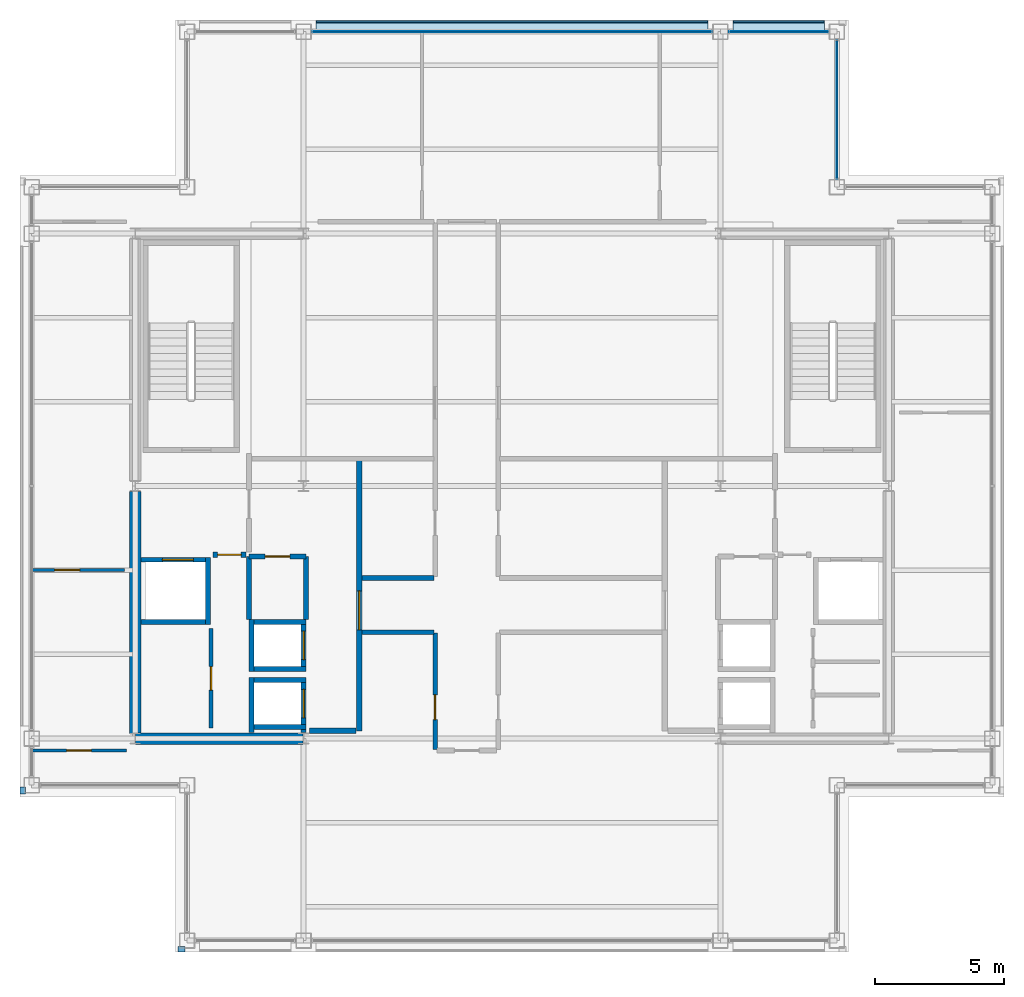
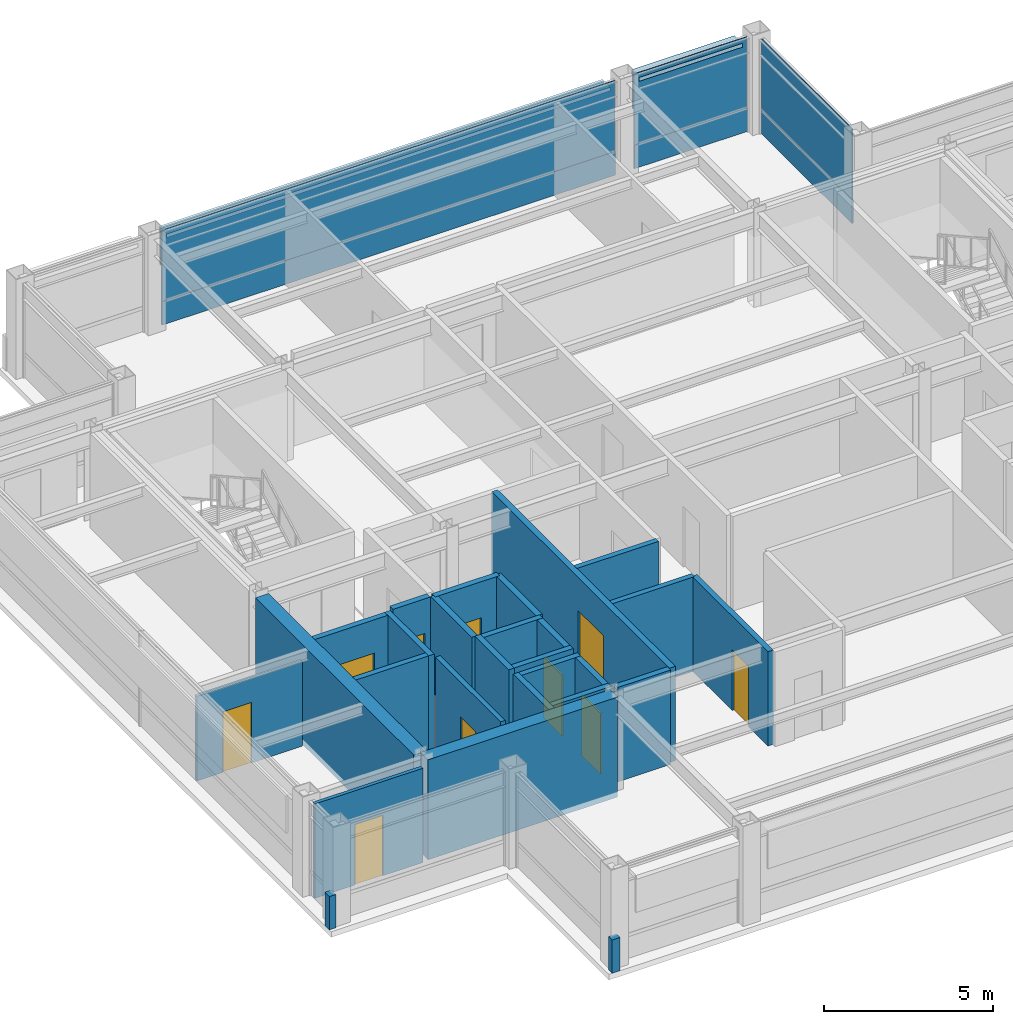
# One storey, part 18 of 22: 27 walls, 10 doors, 10 plates, 10 openings, 3 elements without a shape of their own.
"""IFC4 building model written with IfcOpenShell, lengths in metres."""

from ifc_helpers import new_model, si_unit, direction, frame, frame_2d, origin, origin_2d, place, context, subcontext, project, spatial, rectangle, extrude, material, layer, layer_set, type_object, element, fill, aggregate, save


model = new_model("IFC4")

# Units and contexts
model_context = context("Model", 3, precision=1e-05, world=origin(), true_north=direction((0.0, 1.0)))
body_context = subcontext(model_context, "Body", "Model", "MODEL_VIEW")
ifc_project = project(units=[si_unit("LENGTHUNIT", "METRE"), si_unit("AREAUNIT", "SQUARE_METRE"), si_unit("VOLUMEUNIT", "CUBIC_METRE"), si_unit("PLANEANGLEUNIT", "RADIAN"), si_unit("MASSUNIT", "GRAM", prefix="KILO")], contexts=[model_context])

# Site, building, storey
site_placement = place(None, origin())
site = spatial("IfcSite", under=ifc_project, at=site_placement, CompositionType="ELEMENT")
building_placement = place(site_placement, origin())
building = spatial("IfcBuilding", under=site, at=building_placement, Name="Brelmoor Portico Tower", CompositionType="ELEMENT")
storey_placement = place(building_placement, frame((0.0, 0.0, 280.800048828125)))
storey = spatial("IfcBuildingStorey", under=building, at=storey_placement, Name="L74", CompositionType="ELEMENT", Elevation=280.800048828125)

# Curtain wall, plate
ifc_material_1 = material(Name="Anodised Aluminium Alloy 6063-T6", Category="aluminium")
ifc_layer_1 = layer(ifc_material_1, 0.179931640625)
ifc_layer_set_1 = layer_set([ifc_layer_1], Name="Anodised Aluminium Alloy 6063-T6")
curtain_wall_type_1 = type_object("IfcCurtainWallType", Name="CW-TOWER-Z4", PredefinedType="NOTDEFINED", material=ifc_layer_set_1)
curtain_wall_1_placement = place(storey_placement, origin())
curtain_wall_1 = element("IfcCurtainWall", 1, at=curtain_wall_1_placement, inside=storey, type_object=curtain_wall_type_1, Name="L74 Curtain Wall CW-L74-02-2", PredefinedType="NOTDEFINED")
ifc_material_2 = material(Name="Double-Silver Low-E Insulated Glazing", Category="glass")
ifc_layer_2 = layer(ifc_material_2, 0.035888671875)
ifc_layer_set_2 = layer_set([ifc_layer_2], Name="Double-Silver Low-E Insulated Glazing")
plate_type_1 = type_object("IfcPlateType", Name="PT-CW-GLASS", PredefinedType="CURTAIN_PANEL", material=ifc_layer_set_2)
plate_1_placement = place(storey_placement, frame((0.0, 17.550048828125, 0.85009765625), z_axis=(0.0, 0.0, 1.0), x_axis=(1.0, 0.0, 0.0)))
plate_1 = element("IfcPlate", 2, at=plate_1_placement, type_object=plate_type_1, Name="CW-L74-02-2 Vision Glass Panel 00", PredefinedType="CURTAIN_PANEL", context=body_context, shape_type="SweptSolid", body=[
    extrude(rectangle(XDim=15.449951171875, YDim=0.035888671875, at=origin_2d()), origin(), (0.0, 0.0, 1.0), 2.550048828125),
])

curtain_wall_2_placement = place(storey_placement, origin())
curtain_wall_2 = element("IfcCurtainWall", 3, at=curtain_wall_2_placement, inside=storey, type_object=curtain_wall_type_1, Name="L74 Curtain Wall CW-L74-02-3", PredefinedType="NOTDEFINED")
plate_2_placement = place(storey_placement, frame((10.300048828125, 17.550048828125, 0.85009765625), z_axis=(0.0, 0.0, 1.0), x_axis=(1.0, 0.0, 0.0)))
plate_2 = element("IfcPlate", 4, at=plate_2_placement, type_object=plate_type_1, Name="CW-L74-02-3 Vision Glass Panel 00", PredefinedType="CURTAIN_PANEL", context=body_context, shape_type="SweptSolid", body=[
    extrude(rectangle(XDim=3.85009765625, YDim=0.035888671875, at=origin_2d()), origin(), (0.0, 0.0, 1.0), 2.550048828125),
])

ifc_layer_3 = layer(ifc_material_1, 0.179931640625)
ifc_layer_set_3 = layer_set([ifc_layer_3], Name="Anodised Aluminium Alloy 6063-T6")
curtain_wall_type_2 = type_object("IfcCurtainWallType", Name="CW-NOTCH-CHAMFER", PredefinedType="NOTDEFINED", material=ifc_layer_set_3)
curtain_wall_3_placement = place(storey_placement, origin())
curtain_wall_3 = element("IfcCurtainWall", 5, at=curtain_wall_3_placement, inside=storey, type_object=curtain_wall_type_2, Name="L74 Curtain Wall CWN-L74-NEV", PredefinedType="NOTDEFINED")
plate_3_placement = place(storey_placement, frame((12.550048828125, 14.550048828125, 0.85009765625), z_axis=(0.0, 0.0, 1.0), x_axis=(0.0, 1.0, 0.0)))
plate_3 = element("IfcPlate", 6, at=plate_3_placement, type_object=plate_type_1, Name="CWN-L74-NEV Vision Glass Panel 00", PredefinedType="CURTAIN_PANEL", context=body_context, shape_type="SweptSolid", body=[
    extrude(rectangle(XDim=5.35009765625, YDim=0.035888671875, at=origin_2d()), origin(), (0.0, 0.0, 1.0), 2.550048828125),
])

# Plate
ifc_material_3 = material(Name="Pale Champagne Anodised Aluminium Panel", Category="aluminium")
ifc_layer_4 = layer(ifc_material_3, 0.050048828125)
ifc_layer_set_4 = layer_set([ifc_layer_4], Name="Pale Champagne Anodised Aluminium Panel")
plate_type_2 = type_object("IfcPlateType", Name="PT-CW-SPANDREL", PredefinedType="SHEET", material=ifc_layer_set_4)
plate_4_placement = place(storey_placement, frame((0.0, 17.550048828125, 0.0), z_axis=(0.0, 0.0, 1.0), x_axis=(1.0, 0.0, 0.0)))
plate_4 = element("IfcPlate", 7, at=plate_4_placement, type_object=plate_type_2, Name="CW-L74-02-2 Spandrel Panel 00", PredefinedType="SHEET", context=body_context, shape_type="SweptSolid", body=[
    extrude(rectangle(XDim=15.449951171875, YDim=0.050048828125, at=origin_2d()), origin(), (0.0, 0.0, 1.0), 0.85009765625),
])

aggregate(curtain_wall_1, [plate_4, plate_1])

plate_5_placement = place(storey_placement, frame((10.300048828125, 17.550048828125, 0.0), z_axis=(0.0, 0.0, 1.0), x_axis=(1.0, 0.0, 0.0)))
plate_5 = element("IfcPlate", 8, at=plate_5_placement, type_object=plate_type_2, Name="CW-L74-02-3 Spandrel Panel 00", PredefinedType="SHEET", context=body_context, shape_type="SweptSolid", body=[
    extrude(rectangle(XDim=3.85009765625, YDim=0.050048828125, at=origin_2d()), origin(), (0.0, 0.0, 1.0), 0.85009765625),
])

aggregate(curtain_wall_2, [plate_5, plate_2])

plate_6_placement = place(storey_placement, frame((12.550048828125, 14.550048828125, 0.0), z_axis=(0.0, 0.0, 1.0), x_axis=(0.0, 1.0, 0.0)))
plate_6 = element("IfcPlate", 9, at=plate_6_placement, type_object=plate_type_2, Name="CWN-L74-NEV Spandrel Panel 00", PredefinedType="SHEET", context=body_context, shape_type="SweptSolid", body=[
    extrude(rectangle(XDim=5.35009765625, YDim=0.050048828125, at=origin_2d()), origin(), (0.0, 0.0, 1.0), 0.85009765625),
])

aggregate(curtain_wall_3, [plate_6, plate_3])

# Plates
ifc_material_4 = material(Name="Powder-Coated Aluminium Shuttered Jalousie Louvre", Category="aluminium")
ifc_layer_5 = layer(ifc_material_4, 0.06005859375)
ifc_layer_set_5 = layer_set([ifc_layer_5], Name="Powder-Coated Aluminium Shuttered Jalousie Louvre")
plate_type_3 = type_object("IfcPlateType", Name="PT-JALOUSIE-SHUTTER", PredefinedType="SHEET", material=ifc_layer_set_5)
plate_7_placement = place(storey_placement, frame((0.0, 17.929931640625, 1.8740234375), z_axis=(0.0, 0.0, 1.0), x_axis=(1.0, 0.0, 0.0)))
element("IfcPlate", 10, at=plate_7_placement, inside=storey, type_object=plate_type_3, Name="CW-L74-02-2 Perforated Jalousie Solar Screen", PredefinedType="SHEET", context=body_context, shape_type="SweptSolid", body=[
    extrude(rectangle(XDim=15.1201171875, YDim=0.06494140625, at=origin_2d()), origin(), (0.0, 0.0, 1.0), 1.325927734375),
])
plate_8_placement = place(storey_placement, frame((10.300048828125, 17.929931640625, 1.8740234375), z_axis=(0.0, 0.0, 1.0), x_axis=(1.0, 0.0, 0.0)))
element("IfcPlate", 11, at=plate_8_placement, inside=storey, type_object=plate_type_3, Name="CW-L74-02-3 Perforated Jalousie Solar Screen", PredefinedType="SHEET", context=body_context, shape_type="SweptSolid", body=[
    extrude(rectangle(XDim=3.52001953125, YDim=0.06494140625, at=origin_2d()), origin(), (0.0, 0.0, 1.0), 1.325927734375),
])
ifc_material_5 = material(Name="Pale Champagne Perforated Aluminium Solar Screen", Category="aluminium")
ifc_layer_6 = layer(ifc_material_5, 0.054931640625)
ifc_layer_set_6 = layer_set([ifc_layer_6], Name="Pale Champagne Perforated Aluminium Solar Screen")
plate_type_4 = type_object("IfcPlateType", Name="PT-SOLAR-LOUVRE", PredefinedType="SHEET", material=ifc_layer_set_6)
plate_9_placement = place(storey_placement, frame((0.0, 17.760009765625, 3.08984375), z_axis=(0.0, 0.0, 1.0), x_axis=(1.0, 0.0, 0.0)))
element("IfcPlate", 12, at=plate_9_placement, inside=storey, type_object=plate_type_4, Name="CW-L74-02-2 Caribbean Brise-Soleil Solar Screen", PredefinedType="SHEET", context=body_context, shape_type="SweptSolid", body=[
    extrude(rectangle(XDim=15.1201171875, YDim=0.4599609375, at=origin_2d()), origin(), (0.0, 0.0, 1.0), 0.139892578125),
])
plate_10_placement = place(storey_placement, frame((10.300048828125, 17.760009765625, 3.08984375), z_axis=(0.0, 0.0, 1.0), x_axis=(1.0, 0.0, 0.0)))
element("IfcPlate", 13, at=plate_10_placement, inside=storey, type_object=plate_type_4, Name="CW-L74-02-3 Caribbean Brise-Soleil Solar Screen", PredefinedType="SHEET", context=body_context, shape_type="SweptSolid", body=[
    extrude(rectangle(XDim=3.52001953125, YDim=0.4599609375, at=origin_2d()), origin(), (0.0, 0.0, 1.0), 0.139892578125),
])

# Walls
ifc_material_6 = material(Name="Concrete C50", Category="concrete")
ifc_layer_7 = layer(ifc_material_6, 0.449951171875)
ifc_layer_set_7 = layer_set([ifc_layer_7], Name="Concrete C50")
wall_type_1 = type_object("IfcWallType", Name="WL-CORE-450", PredefinedType="SHEAR", material=ifc_layer_set_7)
wall_1_placement = place(storey_placement, frame((-14.530029296875, -9.75, -0.199951171875), z_axis=(0.0, 0.0, 1.0), x_axis=(1.0, 0.0, 0.0)))
element("IfcWall", 14, at=wall_1_placement, inside=storey, type_object=wall_type_1, Name="L74 WC South Shear Wall", PredefinedType="SHEAR", context=body_context, shape_type="SweptSolid", body=[
    extrude(rectangle(XDim=6.4599609375, YDim=0.449951171875, at=frame_2d((3.22998046875, 0.0))), origin(), (0.0, 0.0, 1.0), 3.599853515625),
])
wall_2_placement = place(storey_placement, frame((-14.550048828125, -9.550048828125, -0.199951171875), z_axis=(0.0, 0.0, 1.0), x_axis=(0.0, 1.0, 0.0)))
element("IfcWall", 15, at=wall_2_placement, inside=storey, type_object=wall_type_1, Name="L74 WC Outer South Shear Wall", PredefinedType="SHEAR", context=body_context, shape_type="SweptSolid", body=[
    extrude(rectangle(XDim=9.35009765625, YDim=0.449951171875, at=frame_2d((4.675048828125, 0.0))), origin(), (0.0, 0.0, 1.0), 3.599853515625),
])
ifc_material_7 = material(Name="Concrete C40 Parapet Upstand", Category="concrete")
ifc_layer_8 = layer(ifc_material_7, 0.219970703125)
ifc_layer_set_8 = layer_set([ifc_layer_8], Name="Concrete C40 Parapet Upstand")
wall_type_2 = type_object("IfcWallType", Name="WL-PARAPET-220", PredefinedType="PARAPET", material=ifc_layer_set_8)
for number, where, z_axis, x_axis, name in (
    (16, (-12.889892578125, -17.889892578125, 0.0), (0.0, 0.0, 1.0), (1.0, 0.0, 0.0), "L74 Chamfer Vertex Parapet Pier SW1"),
    (17, (-18.889892578125, -11.889892578125, 0.0), (0.0, 0.0, 1.0), (0.0, 1.0, 0.0), "L74 Chamfer Vertex Parapet Pier SW2"),
):
    element("IfcWall", number, at=place(storey_placement, frame(where, z_axis=z_axis, x_axis=x_axis)), inside=storey, type_object=wall_type_2, Name=name, PredefinedType="PARAPET", context=body_context, shape_type="SweptSolid", body=[
        extrude(rectangle(XDim=0.269775390625, YDim=0.219970703125, at=frame_2d((0.134765625, 0.0))), origin(), (0.0, 0.0, 1.0), 1.199951171875),
    ])

# Wall, opening, door
ifc_material_8 = material(Name="Lightweight Gypsum Office Partition", Category="gypsum")
ifc_layer_9 = layer(ifc_material_8, 0.1201171875)
ifc_layer_set_9 = layer_set([ifc_layer_9], Name="Lightweight Gypsum Office Partition")
wall_type_3 = type_object("IfcWallType", Name="WL-PART-120", PredefinedType="PARTITIONING", material=ifc_layer_set_9)
wall_3_placement = place(storey_placement, frame((-18.56005859375, -10.2099609375, 0.0), z_axis=(0.0, 0.0, 1.0), x_axis=(1.0, 0.0, 0.0)))
wall_3 = element("IfcWall", 18, at=wall_3_placement, inside=storey, type_object=wall_type_3, Name="L74 South Wing Closure WL", PredefinedType="PARTITIONING", context=body_context, shape_type="SweptSolid", body=[
    extrude(rectangle(XDim=3.68017578125, YDim=0.1201171875, at=frame_2d((1.840087890625, 0.0))), origin(), (0.0, 0.0, 1.0), 3.39990234375),
])
opening_1_placement = place(wall_3_placement, frame((1.360107421875, 0.0, 0.0)))
opening_1 = element("IfcOpeningElement", 19, at=opening_1_placement, cuts=wall_3, Name="Opening D-IN2", PredefinedType="OPENING", context=body_context, shape_type="SweptSolid", body=[
    extrude(rectangle(XDim=0.9599609375, YDim=2.179931640625, at=frame_2d((0.47998046875, 1.08984375))), frame((0.0, 0.070068359375, 0.0), z_axis=(0.0, -1.0, 0.0), x_axis=(1.0, 0.0, 0.0)), (0.0, 0.0, 1.0), 0.14013671875),
])
ifc_material_9 = material(Name="Lacquered Timber Suite Door", Category="wood")
door_type_1 = type_object("IfcDoorType", Name="DR-INT-950", OperationType="NOTDEFINED", PredefinedType="DOOR", material=ifc_material_9)
door_1_placement = place(opening_1_placement, origin())
door_1 = element("IfcDoor", 20, at=door_1_placement, inside=storey, type_object=door_type_1, Name="D-3030 L74 WL Wing South Suite Door", OperationType="SINGLE_SWING_LEFT", OverallHeight=2.179931640625, OverallWidth=0.9599609375, PredefinedType="DOOR", context=body_context, shape_type="SweptSolid", body=[
    extrude(rectangle(XDim=0.9599609375, YDim=2.179931640625, at=frame_2d((0.47998046875, 1.08984375))), frame((0.0, 0.02490234375, 0.0), z_axis=(0.0, -1.0, 0.0), x_axis=(1.0, 0.0, 0.0)), (0.0, 0.0, 1.0), 0.050048828125),
])
fill(opening_1, door_1)

wall_4_placement = place(storey_placement, frame((-18.56005859375, -3.24169921875, 0.0), z_axis=(0.0, 0.0, 1.0), x_axis=(1.0, 0.0, 0.0)))
wall_4 = element("IfcWall", 21, at=wall_4_placement, inside=storey, type_object=wall_type_3, Name="L74 W Wing Partition 1", PredefinedType="PARTITIONING", context=body_context, shape_type="SweptSolid", body=[
    extrude(rectangle(XDim=3.60009765625, YDim=0.1201171875, at=frame_2d((1.800048828125, 0.0))), origin(), (0.0, 0.0, 1.0), 3.050048828125),
])
opening_2_placement = place(wall_4_placement, frame((0.89990234375, 0.0, 0.0)))
opening_2 = element("IfcOpeningElement", 22, at=opening_2_placement, cuts=wall_4, Name="Opening D-IN2", PredefinedType="OPENING", context=body_context, shape_type="SweptSolid", body=[
    extrude(rectangle(XDim=0.9599609375, YDim=2.179931640625, at=frame_2d((0.47998046875, 1.08984375))), frame((0.0, 0.070068359375, 0.0), z_axis=(0.0, -1.0, 0.0), x_axis=(1.0, 0.0, 0.0)), (0.0, 0.0, 1.0), 0.14013671875),
])
door_2_placement = place(opening_2_placement, origin())
door_2 = element("IfcDoor", 23, at=door_2_placement, inside=storey, type_object=door_type_1, Name="D-3032 L74 W Wing Suite Connecting Door 1", OperationType="SINGLE_SWING_LEFT", OverallHeight=2.179931640625, OverallWidth=0.9599609375, PredefinedType="DOOR", context=body_context, shape_type="SweptSolid", body=[
    extrude(rectangle(XDim=0.9599609375, YDim=2.179931640625, at=frame_2d((0.47998046875, 1.08984375))), frame((0.0, 0.02490234375, 0.0), z_axis=(0.0, -1.0, 0.0), x_axis=(1.0, 0.0, 0.0)), (0.0, 0.0, 1.0), 0.050048828125),
])
fill(opening_2, door_2)

ifc_material_10 = material(Name="Twin-Frame Acoustic Partition", Category="gypsum")
ifc_layer_10 = layer(ifc_material_10, 0.159912109375)
ifc_layer_set_10 = layer_set([ifc_layer_10], Name="Twin-Frame Acoustic Partition")
wall_type_4 = type_object("IfcWallType", Name="WL-PART-160", PredefinedType="PARTITIONING", material=ifc_layer_set_10)
wall_5_placement = place(storey_placement, frame((-11.6201171875, -9.35009765625, 0.0), z_axis=(0.0, 0.0, 1.0), x_axis=(0.0, 1.0, 0.0)))
wall_5 = element("IfcWall", 24, at=wall_5_placement, inside=storey, type_object=wall_type_4, Name="L74 W Core Service Front Wall", PredefinedType="PARTITIONING", context=body_context, shape_type="SweptSolid", body=[
    extrude(rectangle(XDim=3.85009765625, YDim=0.159912109375, at=frame_2d((1.925048828125, 0.0))), origin(), (0.0, 0.0, 1.0), 3.39990234375),
])
opening_3_placement = place(wall_5_placement, frame((1.47509765625, 0.0, 0.0)))
opening_3 = element("IfcOpeningElement", 25, at=opening_3_placement, cuts=wall_5, Name="Opening D-IN1", PredefinedType="OPENING", context=body_context, shape_type="SweptSolid", body=[
    extrude(rectangle(XDim=0.89990234375, YDim=2.14990234375, at=frame_2d((0.449951171875, 1.074951171875))), frame((0.0, 0.08984375, 0.0), z_axis=(0.0, -1.0, 0.0), x_axis=(1.0, 0.0, 0.0)), (0.0, 0.0, 1.0), 0.179931640625),
])
door_type_2 = type_object("IfcDoorType", Name="DR-INT-900", OperationType="NOTDEFINED", PredefinedType="DOOR", material=ifc_material_9)
door_3_placement = place(opening_3_placement, origin())
door_3 = element("IfcDoor", 26, at=door_3_placement, inside=storey, type_object=door_type_2, Name="D-3014 L74 W Accessible WC Door", OperationType="SINGLE_SWING_LEFT", OverallHeight=2.14990234375, OverallWidth=0.89990234375, PredefinedType="DOOR", context=body_context, shape_type="SweptSolid", body=[
    extrude(rectangle(XDim=0.89990234375, YDim=2.14990234375, at=frame_2d((0.449951171875, 1.074951171875))), frame((0.0, 0.02490234375, 0.0), z_axis=(0.0, -1.0, 0.0), x_axis=(1.0, 0.0, 0.0)), (0.0, 0.0, 1.0), 0.050048828125),
])
fill(opening_3, door_3)

# Wall
ifc_material_11 = material(Name="Acoustic Corridor Fire Partition", Category="gypsum")
ifc_layer_11 = layer(ifc_material_11, 0.179931640625)
ifc_layer_set_11 = layer_set([ifc_layer_11], Name="Acoustic Corridor Fire Partition")
wall_type_5 = type_object("IfcWallType", Name="WL-PART-180", PredefinedType="PARTITIONING", material=ifc_layer_set_11)
wall_6_placement = place(storey_placement, frame((-5.800048828125, -3.550048828125, 0.0), z_axis=(0.0, 0.0, 1.0), x_axis=(1.0, 0.0, 0.0)))
element("IfcWall", 27, at=wall_6_placement, inside=storey, type_object=wall_type_5, Name="L74 West Pantry South Wall", PredefinedType="PARTITIONING", context=body_context, shape_type="SweptSolid", body=[
    extrude(rectangle(XDim=2.7900390625, YDim=0.179931640625, at=frame_2d((1.39501953125, 0.0))), origin(), (0.0, 0.0, 1.0), 3.39990234375),
])

# Wall, opening, door
wall_7_placement = place(storey_placement, frame((-2.969970703125, -10.169921875, 0.0), z_axis=(0.0, 0.0, 1.0), x_axis=(0.0, 1.0, 0.0)))
wall_7 = element("IfcWall", 28, at=wall_7_placement, inside=storey, type_object=wall_type_5, Name="L74 South Cross West Wall", PredefinedType="PARTITIONING", context=body_context, shape_type="SweptSolid", body=[
    extrude(rectangle(XDim=4.489990234375, YDim=0.179931640625, at=frame_2d((2.2451171875, 0.0))), origin(), (0.0, 0.0, 1.0), 3.39990234375),
])
opening_4_placement = place(wall_7_placement, frame((1.14990234375, 0.0, 0.0)))
opening_4 = element("IfcOpeningElement", 29, at=opening_4_placement, cuts=wall_7, Name="Opening D-IN2", PredefinedType="OPENING", context=body_context, shape_type="SweptSolid", body=[
    extrude(rectangle(XDim=0.9599609375, YDim=2.179931640625, at=frame_2d((0.47998046875, 1.08984375))), frame((0.0, 0.099853515625, 0.0), z_axis=(0.0, -1.0, 0.0), x_axis=(1.0, 0.0, 0.0)), (0.0, 0.0, 1.0), 0.199951171875),
])
door_4_placement = place(opening_4_placement, origin())
door_4 = element("IfcDoor", 30, at=door_4_placement, inside=storey, type_object=door_type_1, Name="D-3006 L74 South-West Archive Room Door", OperationType="SINGLE_SWING_RIGHT", OverallHeight=2.179931640625, OverallWidth=0.9599609375, PredefinedType="DOOR", context=body_context, shape_type="SweptSolid", body=[
    extrude(rectangle(XDim=0.9599609375, YDim=2.179931640625, at=frame_2d((0.47998046875, 1.08984375))), frame((0.0, 0.02490234375, 0.0), z_axis=(0.0, -1.0, 0.0), x_axis=(1.0, 0.0, 0.0)), (0.0, 0.0, 1.0), 0.050048828125),
])
fill(opening_4, door_4)

# Wall
wall_8_placement = place(storey_placement, frame((-5.800048828125, -5.64990234375, 0.0), z_axis=(0.0, 0.0, 1.0), x_axis=(1.0, 0.0, 0.0)))
element("IfcWall", 31, at=wall_8_placement, inside=storey, type_object=wall_type_5, Name="L74 South-West Chamber Top Wall", PredefinedType="PARTITIONING", context=body_context, shape_type="SweptSolid", body=[
    extrude(rectangle(XDim=2.7900390625, YDim=0.179931640625, at=frame_2d((1.39501953125, 0.0))), origin(), (0.0, 0.0, 1.0), 3.39990234375),
])

# Wall, opening, door
ifc_material_12 = material(Name="Double-Stud Gypsum Fire Partition", Category="gypsum")
ifc_layer_12 = layer(ifc_material_12, 0.199951171875)
ifc_layer_set_12 = layer_set([ifc_layer_12], Name="Double-Stud Gypsum Fire Partition")
wall_type_6 = type_object("IfcWallType", Name="WL-PART-200", PredefinedType="PARTITIONING", material=ifc_layer_set_12)
wall_9_placement = place(storey_placement, frame((-5.89990234375, -9.449951171875, 0.0), z_axis=(0.0, 0.0, 1.0), x_axis=(0.0, 1.0, 0.0)))
wall_9 = element("IfcWall", 32, at=wall_9_placement, inside=storey, type_object=wall_type_6, Name="L74 W Core Lobby Compartment Wall", PredefinedType="PARTITIONING", context=body_context, shape_type="SweptSolid", body=[
    extrude(rectangle(XDim=10.5, YDim=0.199951171875, at=frame_2d((5.25, 0.0))), origin(), (0.0, 0.0, 1.0), 3.39990234375),
])
opening_5_placement = place(wall_9_placement, frame((3.89990234375, 0.0, 0.0)))
opening_5 = element("IfcOpeningElement", 33, at=opening_5_placement, cuts=wall_9, Name="Opening D-LB1", PredefinedType="OPENING", context=body_context, shape_type="SweptSolid", body=[
    extrude(rectangle(XDim=1.5, YDim=2.199951171875, at=frame_2d((0.75, 1.10009765625))), frame((0.0, 0.10986328125, 0.0), z_axis=(0.0, -1.0, 0.0), x_axis=(1.0, 0.0, 0.0)), (0.0, 0.0, 1.0), 0.219970703125),
])
ifc_material_13 = material(Name="Double-Leaf Glazed Steel Fire Door", Category="steel")
door_type_3 = type_object("IfcDoorType", Name="DR-LOBBY-1500", OperationType="NOTDEFINED", PredefinedType="DOOR", material=ifc_material_13)
door_5_placement = place(opening_5_placement, origin())
door_5 = element("IfcDoor", 34, at=door_5_placement, inside=storey, type_object=door_type_3, Name="D-3020 L74 W Lift Lobby Main Door", OperationType="DOUBLE_DOOR_SINGLE_SWING", OverallHeight=2.199951171875, OverallWidth=1.5, PredefinedType="DOOR", context=body_context, shape_type="SweptSolid", body=[
    extrude(rectangle(XDim=1.5, YDim=2.199951171875, at=frame_2d((0.75, 1.10009765625))), frame((0.0, 0.02490234375, 0.0), z_axis=(0.0, -1.0, 0.0), x_axis=(1.0, 0.0, 0.0)), (0.0, 0.0, 1.0), 0.050048828125),
])
fill(opening_5, door_5)

# Wall
wall_10_placement = place(storey_placement, frame((-6.02001953125, -9.449951171875, 0.0), z_axis=(0.0, 0.0, 1.0), x_axis=(-1.0, 0.0, 0.0)))
element("IfcWall", 35, at=wall_10_placement, inside=storey, type_object=wall_type_6, Name="L74 W Lift Lobby South End Wall", PredefinedType="PARTITIONING", context=body_context, shape_type="SweptSolid", body=[
    extrude(rectangle(XDim=1.800048828125, YDim=0.199951171875, at=frame_2d((0.89990234375, 0.0))), origin(), (0.0, 0.0, 1.0), 3.39990234375),
])

# Wall, opening, door
wall_11_placement = place(storey_placement, frame((-10.280029296875, -2.64990234375, 0.0), z_axis=(0.0, 0.0, 1.0), x_axis=(-1.0, 0.0, 0.0)))
wall_11 = element("IfcWall", 36, at=wall_11_placement, inside=storey, type_object=wall_type_6, Name="L74 W Firefighting Lobby South Wall", PredefinedType="PARTITIONING", context=body_context, shape_type="SweptSolid", body=[
    extrude(rectangle(XDim=1.27001953125, YDim=0.199951171875, at=frame_2d((0.635009765625, 0.0))), origin(), (0.0, 0.0, 1.0), 3.39990234375),
])
opening_6_placement = place(wall_11_placement, frame((0.18505859375, 0.0, 0.0)))
opening_6 = element("IfcOpeningElement", 37, at=opening_6_placement, cuts=wall_11, Name="Opening D-IN1", PredefinedType="OPENING", context=body_context, shape_type="SweptSolid", body=[
    extrude(rectangle(XDim=0.89990234375, YDim=2.14990234375, at=frame_2d((0.449951171875, 1.074951171875))), frame((0.0, 0.10986328125, 0.0), z_axis=(0.0, -1.0, 0.0), x_axis=(1.0, 0.0, 0.0)), (0.0, 0.0, 1.0), 0.219970703125),
])
door_6_placement = place(opening_6_placement, origin())
door_6 = element("IfcDoor", 38, at=door_6_placement, inside=storey, type_object=door_type_2, Name="D-3013 L74 W Core Service Vestibule Door", OperationType="SINGLE_SWING_LEFT", OverallHeight=2.14990234375, OverallWidth=0.89990234375, PredefinedType="DOOR", context=body_context, shape_type="SweptSolid", body=[
    extrude(rectangle(XDim=0.89990234375, YDim=2.14990234375, at=frame_2d((0.449951171875, 1.074951171875))), frame((0.0, 0.02490234375, 0.0), z_axis=(0.0, -1.0, 0.0), x_axis=(1.0, 0.0, 0.0)), (0.0, 0.0, 1.0), 0.050048828125),
])
fill(opening_6, door_6)

wall_12_placement = place(storey_placement, frame((-7.9599609375, -2.719970703125, 0.0), z_axis=(0.0, 0.0, 1.0), x_axis=(-1.0, 0.0, 0.0)))
wall_12 = element("IfcWall", 39, at=wall_12_placement, inside=storey, type_object=wall_type_6, Name="L74 W Electrical Switchgear Closet Wall", PredefinedType="PARTITIONING", context=body_context, shape_type="SweptSolid", body=[
    extrude(rectangle(XDim=2.199951171875, YDim=0.199951171875, at=frame_2d((1.10009765625, 0.0))), origin(), (0.0, 0.0, 1.0), 3.39990234375),
])
opening_7_placement = place(wall_12_placement, frame((0.6201171875, 0.0, 0.0)))
opening_7 = element("IfcOpeningElement", 40, at=opening_7_placement, cuts=wall_12, Name="Opening D-FR4", PredefinedType="OPENING", context=body_context, shape_type="SweptSolid", body=[
    extrude(rectangle(XDim=0.949951171875, YDim=2.10009765625, at=frame_2d((0.47509765625, 1.050048828125))), frame((0.0, 0.10986328125, 0.0), z_axis=(0.0, -1.0, 0.0), x_axis=(1.0, 0.0, 0.0)), (0.0, 0.0, 1.0), 0.219970703125),
])
ifc_material_14 = material(Name="Painted Galvanised Steel Riser Door", Category="steel")
door_type_4 = type_object("IfcDoorType", Name="DR-FIRE-950", OperationType="NOTDEFINED", PredefinedType="DOOR", material=ifc_material_14)
door_7_placement = place(opening_7_placement, origin())
door_7 = element("IfcDoor", 41, at=door_7_placement, inside=storey, type_object=door_type_4, Name="D-3016 L74 W Electrical Switchgear Closet Door", OperationType="SINGLE_SWING_RIGHT", OverallHeight=2.10009765625, OverallWidth=0.949951171875, PredefinedType="DOOR", context=body_context, shape_type="SweptSolid", body=[
    extrude(rectangle(XDim=0.949951171875, YDim=2.10009765625, at=frame_2d((0.47509765625, 1.050048828125))), frame((0.0, 0.02490234375, 0.0), z_axis=(0.0, -1.0, 0.0), x_axis=(1.0, 0.0, 0.0)), (0.0, 0.0, 1.0), 0.050048828125),
])
fill(opening_7, door_7)

# Walls
for number, where, z_axis, x_axis, name in (
    (42, (-7.9599609375, -5.159912109375, 0.0), (0.0, 0.0, 1.0), (0.0, 1.0, 0.0), "L74 W Electrical Switchgear Closet Inner Wall"),
    (43, (-10.159912109375, -5.159912109375, 0.0), (0.0, 0.0, 1.0), (0.0, 1.0, 0.0), "L74 W Electrical Switchgear Closet Outer Wall"),
):
    element("IfcWall", number, at=place(storey_placement, frame(where, z_axis=z_axis, x_axis=x_axis)), inside=storey, type_object=wall_type_6, Name=name, PredefinedType="PARTITIONING", context=body_context, shape_type="SweptSolid", body=[
        extrude(rectangle(XDim=2.43994140625, YDim=0.199951171875, at=frame_2d((1.219970703125, 0.0))), origin(), (0.0, 0.0, 1.0), 3.39990234375),
    ])

# Wall, opening, door
ifc_material_15 = material(Name="Precast Concrete C40", Category="concrete")
ifc_layer_13 = layer(ifc_material_15, 0.18994140625)
ifc_layer_set_13 = layer_set([ifc_layer_13], Name="Precast Concrete C40")
wall_type_7 = type_object("IfcWallType", Name="WL-SHAFT-180", PredefinedType="SOLIDWALL", material=ifc_layer_set_13)
wall_13_placement = place(storey_placement, frame((-8.044921875, -9.52001953125, -0.199951171875), z_axis=(0.0, 0.0, 1.0), x_axis=(0.0, 1.0, 0.0)))
wall_13 = element("IfcWall", 44, at=wall_13_placement, inside=storey, type_object=wall_type_7, Name="L74 Lift PH1 Hoistway Front Wall", PredefinedType="SOLIDWALL", context=body_context, shape_type="SweptSolid", body=[
    extrude(rectangle(XDim=2.1201171875, YDim=0.18994140625, at=frame_2d((1.06005859375, 0.0))), origin(), (0.0, 0.0, 1.0), 3.599853515625),
])
opening_8_placement = place(wall_13_placement, frame((0.570068359375, 0.0, 0.199951171875)))
opening_8 = element("IfcOpeningElement", 45, at=opening_8_placement, cuts=wall_13, Name="Opening LD-01", PredefinedType="OPENING", context=body_context, shape_type="SweptSolid", body=[
    extrude(rectangle(XDim=1.10009765625, YDim=2.199951171875, at=frame_2d((0.550048828125, 1.10009765625))), frame((0.0, 0.10498046875, 0.0), z_axis=(0.0, -1.0, 0.0), x_axis=(1.0, 0.0, 0.0)), (0.0, 0.0, 1.0), 0.2099609375),
])
ifc_material_16 = material(Name="Brushed Stainless Steel Sliding Lift Door", Category="steel")
door_type_5 = type_object("IfcDoorType", Name="DR-LIFT-1100", OperationType="NOTDEFINED", PredefinedType="DOOR", material=ifc_material_16)
door_8_placement = place(opening_8_placement, origin())
door_8 = element("IfcDoor", 46, at=door_8_placement, inside=storey, type_object=door_type_5, Name="D-3035 L74 Lift PH1 Sliding Landing Door", OperationType="SLIDING_TO_LEFT", OverallHeight=2.199951171875, OverallWidth=1.10009765625, PredefinedType="DOOR", context=body_context, shape_type="SweptSolid", body=[
    extrude(rectangle(XDim=1.10009765625, YDim=2.199951171875, at=frame_2d((0.550048828125, 1.10009765625))), frame((0.0, 0.02490234375, 0.0), z_axis=(0.0, -1.0, 0.0), x_axis=(1.0, 0.0, 0.0)), (0.0, 0.0, 1.0), 0.050048828125),
])
fill(opening_8, door_8)

# Walls
wall_14_placement = place(storey_placement, frame((-10.054931640625, -9.52001953125, -0.199951171875), z_axis=(0.0, 0.0, 1.0), x_axis=(0.0, 1.0, 0.0)))
element("IfcWall", 47, at=wall_14_placement, inside=storey, type_object=wall_type_7, Name="L74 Lift PH1 Hoistway Back Wall", PredefinedType="SOLIDWALL", context=body_context, shape_type="SweptSolid", body=[
    extrude(rectangle(XDim=2.1201171875, YDim=0.18994140625, at=frame_2d((1.06005859375, 0.0))), origin(), (0.0, 0.0, 1.0), 3.599853515625),
])
for number, where, z_axis, x_axis, name in (
    (48, (-10.14990234375, -7.4951171875, -0.199951171875), (0.0, 0.0, 1.0), (1.0, 0.0, 0.0), "L74 Lift PH1 Hoistway North Wall"),
    (49, (-10.14990234375, -9.304931640625, -0.199951171875), (0.0, 0.0, 1.0), (1.0, 0.0, 0.0), "L74 Lift PH1 Hoistway South Wall"),
):
    element("IfcWall", number, at=place(storey_placement, frame(where, z_axis=z_axis, x_axis=x_axis)), inside=storey, type_object=wall_type_7, Name=name, PredefinedType="SOLIDWALL", context=body_context, shape_type="SweptSolid", body=[
        extrude(rectangle(XDim=2.199951171875, YDim=0.18994140625, at=frame_2d((1.10009765625, 0.0))), origin(), (0.0, 0.0, 1.0), 3.599853515625),
    ])

# Wall, opening, door
wall_15_placement = place(storey_placement, frame((-8.044921875, -7.14990234375, -0.199951171875), z_axis=(0.0, 0.0, 1.0), x_axis=(0.0, 1.0, 0.0)))
wall_15 = element("IfcWall", 50, at=wall_15_placement, inside=storey, type_object=wall_type_7, Name="L74 Lift PH2 Hoistway Front Wall", PredefinedType="SOLIDWALL", context=body_context, shape_type="SweptSolid", body=[
    extrude(rectangle(XDim=2.0, YDim=0.18994140625, at=frame_2d((1.0, 0.0))), origin(), (0.0, 0.0, 1.0), 3.599853515625),
])
opening_9_placement = place(wall_15_placement, frame((0.449951171875, 0.0, 0.199951171875)))
opening_9 = element("IfcOpeningElement", 51, at=opening_9_placement, cuts=wall_15, Name="Opening LD-01", PredefinedType="OPENING", context=body_context, shape_type="SweptSolid", body=[
    extrude(rectangle(XDim=1.10009765625, YDim=2.199951171875, at=frame_2d((0.550048828125, 1.10009765625))), frame((0.0, 0.10498046875, 0.0), z_axis=(0.0, -1.0, 0.0), x_axis=(1.0, 0.0, 0.0)), (0.0, 0.0, 1.0), 0.2099609375),
])
door_9_placement = place(opening_9_placement, origin())
door_9 = element("IfcDoor", 52, at=door_9_placement, inside=storey, type_object=door_type_5, Name="D-3036 L74 Lift PH2 Sliding Landing Door", OperationType="SLIDING_TO_LEFT", OverallHeight=2.199951171875, OverallWidth=1.10009765625, PredefinedType="DOOR", context=body_context, shape_type="SweptSolid", body=[
    extrude(rectangle(XDim=1.10009765625, YDim=2.199951171875, at=frame_2d((0.550048828125, 1.10009765625))), frame((0.0, 0.02490234375, 0.0), z_axis=(0.0, -1.0, 0.0), x_axis=(1.0, 0.0, 0.0)), (0.0, 0.0, 1.0), 0.050048828125),
])
fill(opening_9, door_9)

# Walls
wall_16_placement = place(storey_placement, frame((-10.054931640625, -7.14990234375, -0.199951171875), z_axis=(0.0, 0.0, 1.0), x_axis=(0.0, 1.0, 0.0)))
element("IfcWall", 53, at=wall_16_placement, inside=storey, type_object=wall_type_7, Name="L74 Lift PH2 Hoistway Back Wall", PredefinedType="SOLIDWALL", context=body_context, shape_type="SweptSolid", body=[
    extrude(rectangle(XDim=2.0, YDim=0.18994140625, at=frame_2d((1.0, 0.0))), origin(), (0.0, 0.0, 1.0), 3.599853515625),
])
for number, where, z_axis, x_axis, name in (
    (54, (-10.14990234375, -5.2451171875, -0.199951171875), (0.0, 0.0, 1.0), (1.0, 0.0, 0.0), "L74 Lift PH2 Hoistway North Wall"),
    (55, (-10.14990234375, -7.054931640625, -0.199951171875), (0.0, 0.0, 1.0), (1.0, 0.0, 0.0), "L74 Lift PH2 Hoistway South Wall"),
):
    element("IfcWall", number, at=place(storey_placement, frame(where, z_axis=z_axis, x_axis=x_axis)), inside=storey, type_object=wall_type_7, Name=name, PredefinedType="SOLIDWALL", context=body_context, shape_type="SweptSolid", body=[
        extrude(rectangle(XDim=2.199951171875, YDim=0.18994140625, at=frame_2d((1.10009765625, 0.0))), origin(), (0.0, 0.0, 1.0), 3.599853515625),
    ])

# Wall, opening, door
wall_17_placement = place(storey_placement, frame((-14.330078125, -2.844970703125, -0.199951171875), z_axis=(0.0, 0.0, 1.0), x_axis=(1.0, 0.0, 0.0)))
wall_17 = element("IfcWall", 56, at=wall_17_placement, inside=storey, type_object=wall_type_7, Name="L74 Lift FF1 Hoistway Front Wall", PredefinedType="SOLIDWALL", context=body_context, shape_type="SweptSolid", body=[
    extrude(rectangle(XDim=2.68017578125, YDim=0.18994140625, at=frame_2d((1.340087890625, 0.0))), origin(), (0.0, 0.0, 1.0), 3.599853515625),
])
opening_10_placement = place(wall_17_placement, frame((0.830078125, 0.0, 0.199951171875)))
opening_10 = element("IfcOpeningElement", 57, at=opening_10_placement, cuts=wall_17, Name="Opening LD-02", PredefinedType="OPENING", context=body_context, shape_type="SweptSolid", body=[
    extrude(rectangle(XDim=1.199951171875, YDim=2.199951171875, at=frame_2d((0.60009765625, 1.10009765625))), frame((0.0, 0.10498046875, 0.0), z_axis=(0.0, -1.0, 0.0), x_axis=(1.0, 0.0, 0.0)), (0.0, 0.0, 1.0), 0.2099609375),
])
ifc_material_17 = material(Name="Brushed Stainless Steel Firefighting Lift Door", Category="steel")
door_type_6 = type_object("IfcDoorType", Name="DR-LIFT-1200", OperationType="NOTDEFINED", PredefinedType="DOOR", material=ifc_material_17)
door_10_placement = place(opening_10_placement, origin())
door_10 = element("IfcDoor", 58, at=door_10_placement, inside=storey, type_object=door_type_6, Name="D-3033 L74 Lift FF1 Sliding Landing Door", OperationType="SLIDING_TO_LEFT", OverallHeight=2.199951171875, OverallWidth=1.199951171875, PredefinedType="DOOR", context=body_context, shape_type="SweptSolid", body=[
    extrude(rectangle(XDim=1.199951171875, YDim=2.199951171875, at=frame_2d((0.60009765625, 1.10009765625))), frame((0.0, 0.02490234375, 0.0), z_axis=(0.0, -1.0, 0.0), x_axis=(1.0, 0.0, 0.0)), (0.0, 0.0, 1.0), 0.050048828125),
])
fill(opening_10, door_10)

# Walls
wall_18_placement = place(storey_placement, frame((-14.330078125, -5.2548828125, -0.199951171875), z_axis=(0.0, 0.0, 1.0), x_axis=(1.0, 0.0, 0.0)))
element("IfcWall", 59, at=wall_18_placement, inside=storey, type_object=wall_type_7, Name="L74 Firefighting Lift FF1 South Wall", PredefinedType="SOLIDWALL", context=body_context, shape_type="SweptSolid", body=[
    extrude(rectangle(XDim=2.68017578125, YDim=0.18994140625, at=frame_2d((1.340087890625, 0.0))), origin(), (0.0, 0.0, 1.0), 3.599853515625),
])
wall_19_placement = place(storey_placement, frame((-11.7451171875, -5.35009765625, -0.199951171875), z_axis=(0.0, 0.0, 1.0), x_axis=(0.0, 1.0, 0.0)))
element("IfcWall", 60, at=wall_19_placement, inside=storey, type_object=wall_type_7, Name="L74 Firefighting Lift FF1 Inner Wall", PredefinedType="SOLIDWALL", context=body_context, shape_type="SweptSolid", body=[
    extrude(rectangle(XDim=2.60009765625, YDim=0.18994140625, at=frame_2d((1.300048828125, 0.0))), origin(), (0.0, 0.0, 1.0), 3.599853515625),
])

save(model, "model.ifc")
